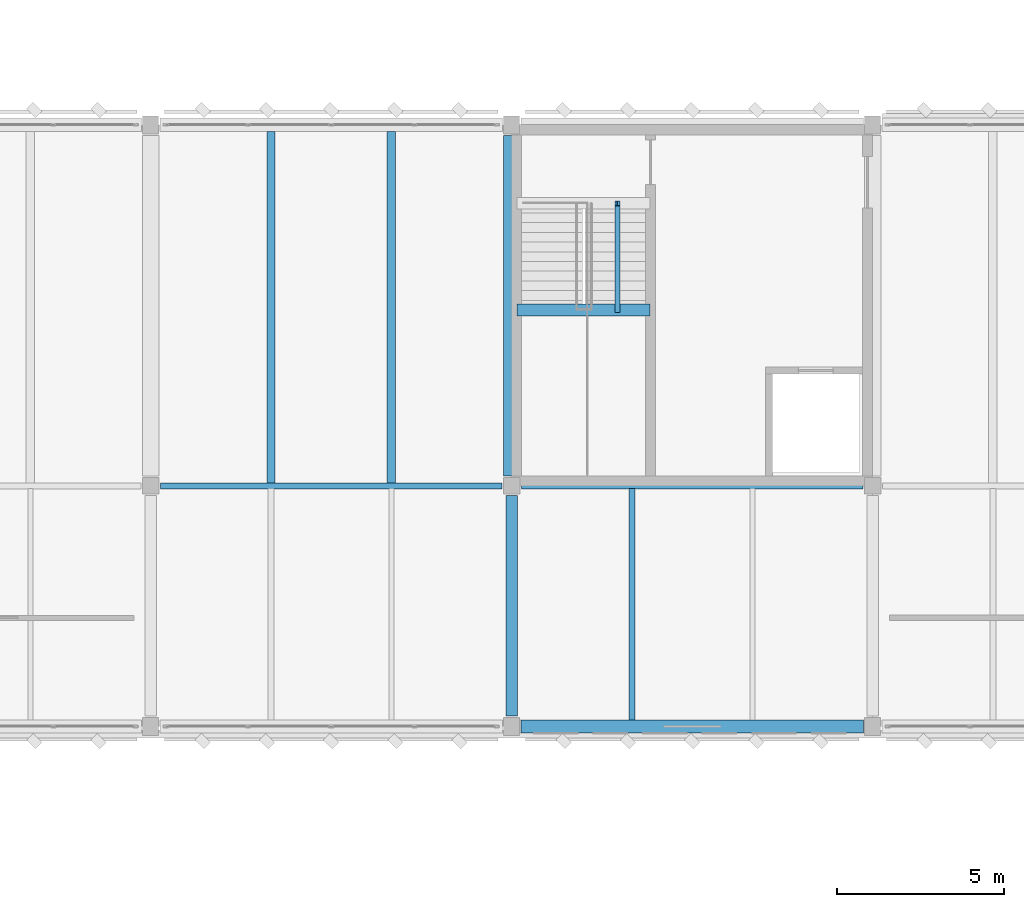
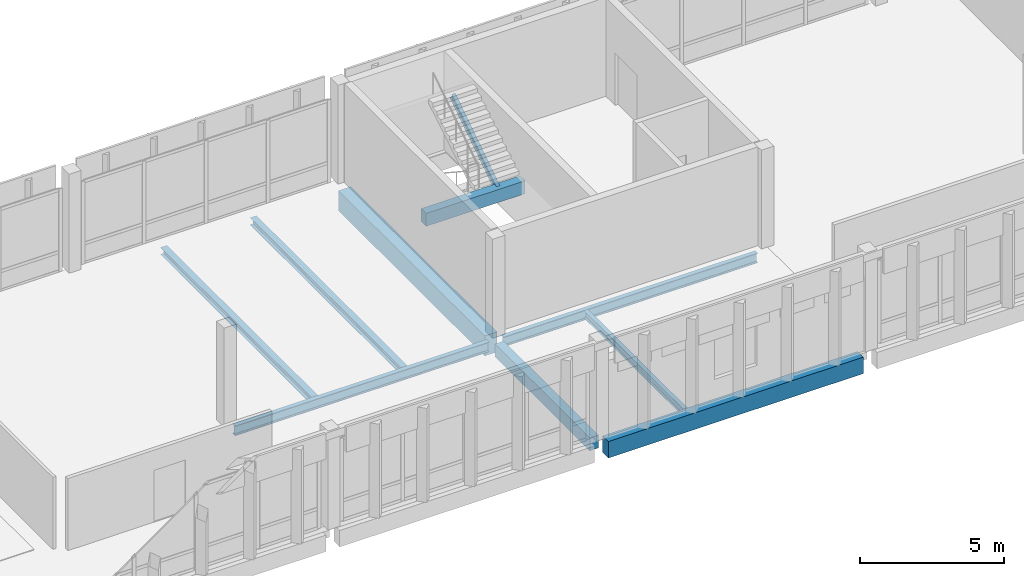
# One storey, part 27 of 72: 10 beams.
"""IFC4 building model written with IfcOpenShell, lengths in metres."""

from ifc_helpers import new_model, si_unit, direction, frame, origin, origin_2d, place, context, subcontext, project, spatial, rectangle, i_section, extrude, material, material_profile, profile_set, type_object, element, save


model = new_model("IFC4")

# Units and contexts
model_context = context("Model", 3, precision=1e-05, world=origin(), true_north=direction((0.0, 1.0)))
body_context = subcontext(model_context, "Body", "Model", "MODEL_VIEW")
ifc_project = project(units=[si_unit("LENGTHUNIT", "METRE"), si_unit("AREAUNIT", "SQUARE_METRE"), si_unit("VOLUMEUNIT", "CUBIC_METRE"), si_unit("PLANEANGLEUNIT", "RADIAN"), si_unit("MASSUNIT", "GRAM", prefix="KILO")], contexts=[model_context])

# Site, building, storey
site_placement = place(None, origin())
site = spatial("IfcSite", under=ifc_project, at=site_placement, CompositionType="ELEMENT")
building_placement = place(site_placement, origin())
building = spatial("IfcBuilding", under=site, at=building_placement, Name="Lusvemor Sports Hall", CompositionType="ELEMENT")
storey_placement = place(building_placement, frame((0.0, 0.0, 15.0)))
storey = spatial("IfcBuildingStorey", under=building, at=storey_placement, Name="L03", CompositionType="ELEMENT", Elevation=15.0)

# Beams
ifc_material_1 = material(Name="Concrete C40/50", Category="concrete")
ifc_material_profile_1 = material_profile(ifc_material_1, rectangle(XDim=0.35009765625, YDim=0.550048828125, at=origin_2d()), Name="RC350x550")
ifc_profile_set_1 = profile_set([ifc_material_profile_1], Name="Concrete C40/50")
beam_type_1 = type_object("IfcBeamType", Name="BEAM_RC_550", PredefinedType="BEAM", material=ifc_profile_set_1)
beam_1_placement = place(storey_placement, frame((54.0, 97.51611328125, -0.514892578125), z_axis=(0.0, 1.0, 0.0), x_axis=(-1.0, 0.0, 0.0)))
element("IfcBeam", 1, at=beam_1_placement, inside=storey, type_object=beam_type_1, Name="Beam L03 6:N-P", PredefinedType="BEAM", context=body_context, shape_type="SweptSolid", body=[
    extrude(rectangle(XDim=0.35009765625, YDim=0.550048828125, at=origin_2d()), origin(), (0.0, 0.0, 1.0), 6.587890625),
])
beam_2_placement = place(storey_placement, frame((54.159912109375, 109.659912109375, 1.64501953125), z_axis=(1.0, 0.0, 0.0), x_axis=(0.0, 1.0, 0.0)))
element("IfcBeam", 2, at=beam_2_placement, inside=storey, type_object=beam_type_1, Name="Stair STR-C2-L03 Mid-Landing Beam", PredefinedType="BEAM", context=body_context, shape_type="SweptSolid", body=[
    extrude(rectangle(XDim=0.35009765625, YDim=0.550048828125, at=origin_2d()), origin(), (0.0, 0.0, 1.0), 3.97998046875),
])
ifc_material_2 = material(Name="Steel S355", Category="steel")
ifc_material_profile_2 = material_profile(ifc_material_2, i_section(OverallWidth=0.180908203125, OverallDepth=0.4169921875, WebThickness=0.010986328125, FlangeThickness=0.018310546875, FilletRadius=0.01611328125, at=origin_2d()), Name="W410x85.0")
ifc_profile_set_2 = profile_set([ifc_material_profile_2], Name="Steel S355")
beam_type_2 = type_object("IfcBeamType", Name="BEAM_ST_410H", PredefinedType="BEAM", material=ifc_profile_set_2)
for number, where, z_axis, x_axis, name in (
    (3, (43.49609375, 104.39990234375, -0.452392578125), (1.0, 0.0, 0.0), (0.0, 1.0, 0.0), "Beam L03 P:5-6"),
    (4, (54.2958984375, 104.39990234375, -0.452392578125), (1.0, 0.0, 0.0), (0.0, 1.0, 0.0), "Beam L03 P:6-7"),
):
    element("IfcBeam", number, at=place(storey_placement, frame(where, z_axis=z_axis, x_axis=x_axis)), inside=storey, type_object=beam_type_2, Name=name, PredefinedType="BEAM", context=body_context, shape_type="SweptSolid", body=[
        extrude(i_section(OverallWidth=0.180908203125, OverallDepth=0.4169921875, WebThickness=0.010986328125, FlangeThickness=0.018310546875, FilletRadius=0.01611328125, at=origin_2d()), origin(), (0.0, 0.0, 1.0), 10.2080078125),
    ])
ifc_material_3 = material(Name="Concrete C40/50", Category="concrete")
ifc_material_profile_3 = material_profile(ifc_material_3, rectangle(XDim=0.5, YDim=0.85009765625, at=origin_2d()), Name="RC500x850")
ifc_profile_set_3 = profile_set([ifc_material_profile_3], Name="Concrete C40/50")
beam_type_3 = type_object("IfcBeamType", Name="GIRD_RC_850", PredefinedType="T_BEAM", material=ifc_profile_set_3)
beam_3_placement = place(storey_placement, frame((54.0, 104.696044921875, -0.6650390625), z_axis=(0.0, 1.0, 0.0), x_axis=(-1.0, 0.0, 0.0)))
element("IfcBeam", 5, at=beam_3_placement, inside=storey, type_object=beam_type_3, Name="Beam L03 6:P-Q", PredefinedType="T_BEAM", context=body_context, shape_type="SweptSolid", body=[
    extrude(rectangle(XDim=0.5, YDim=0.85009765625, at=origin_2d()), origin(), (0.0, 0.0, 1.0), 10.18798828125),
])
ifc_material_4 = material(Name="Steel S355", Category="steel")
ifc_material_profile_4 = material_profile(ifc_material_4, i_section(OverallWidth=0.14794921875, OverallDepth=0.26611328125, WebThickness=0.007568359375, FlangeThickness=0.012939453125, FilletRadius=0.012939453125, at=origin_2d()), Name="W250x44.8")
ifc_profile_set_4 = profile_set([ifc_material_profile_4], Name="Steel S355")
beam_type_4 = type_object("IfcBeamType", Name="JOIST_ST_250M", PredefinedType="JOIST", material=ifc_profile_set_4)
beam_4_placement = place(storey_placement, frame((57.159912109375, 109.659912109375, 1.7548828125), z_axis=(0.0, 0.835261802243, 0.549852454495), x_axis=(-1.0, 0.0, 0.0)))
element("IfcBeam", 6, at=beam_4_placement, inside=storey, type_object=beam_type_4, Name="Stair STR-C2-L03 Flight 2 Stringer Beam", PredefinedType="JOIST", context=body_context, shape_type="SweptSolid", body=[
    extrude(i_section(OverallWidth=0.14794921875, OverallDepth=0.26611328125, WebThickness=0.007568359375, FlangeThickness=0.012939453125, FilletRadius=0.012939453125, at=origin_2d()), origin(), (0.0, 0.0, 1.0), 3.8193359375),
])
ifc_material_5 = material(Name="Steel S355", Category="steel")
ifc_material_profile_5 = material_profile(ifc_material_5, i_section(OverallWidth=0.25390625, OverallDepth=0.305908203125, WebThickness=0.0087890625, FlangeThickness=0.0146484375, FilletRadius=0.014892578125, at=origin_2d()), Name="W310x79.0")
ifc_profile_set_5 = profile_set([ifc_material_profile_5], Name="Steel S355")
beam_type_5 = type_object("IfcBeamType", Name="JOIST_ST_310H", PredefinedType="JOIST", material=ifc_profile_set_5)
for number, where, z_axis, x_axis, name in (
    (7, (46.800048828125, 104.486572265625, -0.39697265625), (0.0, 1.0, 0.0), (-1.0, 0.0, 0.0), "Secondary Joist L03 5-6/P-Q #1"),
    (8, (50.39990234375, 104.486572265625, -0.39697265625), (0.0, 1.0, 0.0), (-1.0, 0.0, 0.0), "Secondary Joist L03 5-6/P-Q #2"),
):
    element("IfcBeam", number, at=place(storey_placement, frame(where, z_axis=z_axis, x_axis=x_axis)), inside=storey, type_object=beam_type_5, Name=name, PredefinedType="JOIST", context=body_context, shape_type="SweptSolid", body=[
        extrude(i_section(OverallWidth=0.25390625, OverallDepth=0.305908203125, WebThickness=0.0087890625, FlangeThickness=0.0146484375, FilletRadius=0.014892578125, at=origin_2d()), origin(), (0.0, 0.0, 1.0), 10.517333984375),
    ])
ifc_material_6 = material(Name="Steel S355", Category="steel")
ifc_material_profile_6 = material_profile(ifc_material_6, i_section(OverallWidth=0.1669921875, OverallDepth=0.31689453125, WebThickness=0.007568359375, FlangeThickness=0.01318359375, FilletRadius=0.014892578125, at=origin_2d()), Name="W310x52.0")
ifc_profile_set_6 = profile_set([ifc_material_profile_6], Name="Steel S355")
beam_type_6 = type_object("IfcBeamType", Name="JOIST_ST_310M", PredefinedType="JOIST", material=ifc_profile_set_6)
beam_5_placement = place(storey_placement, frame((57.60009765625, 97.39599609375, -0.402587890625), z_axis=(0.0, 1.0, 0.0), x_axis=(-1.0, 0.0, 0.0)))
element("IfcBeam", 9, at=beam_5_placement, inside=storey, type_object=beam_type_6, Name="Secondary Joist L03 6-7/N-P #1", PredefinedType="JOIST", context=body_context, shape_type="SweptSolid", body=[
    extrude(i_section(OverallWidth=0.1669921875, OverallDepth=0.31689453125, WebThickness=0.007568359375, FlangeThickness=0.01318359375, FilletRadius=0.014892578125, at=origin_2d()), origin(), (0.0, 0.0, 1.0), 6.91748046875),
])
ifc_material_7 = material(Name="Concrete C40/50", Category="concrete")
ifc_material_profile_7 = material_profile(ifc_material_7, rectangle(XDim=0.39990234375, YDim=0.699951171875, at=origin_2d()), Name="RC400x700")
ifc_profile_set_7 = profile_set([ifc_material_profile_7], Name="Concrete C40/50")
beam_type_7 = type_object("IfcBeamType", Name="SPAND_EXT_700", PredefinedType="SPANDREL", material=ifc_profile_set_7)
beam_6_placement = place(storey_placement, frame((54.27587890625, 97.199951171875, -0.590087890625), z_axis=(1.0, 0.0, 0.0), x_axis=(0.0, 1.0, 0.0)))
element("IfcBeam", 10, at=beam_6_placement, inside=storey, type_object=beam_type_7, Name="Beam L03 N:6-7", PredefinedType="SPANDREL", context=body_context, shape_type="SweptSolid", body=[
    extrude(rectangle(XDim=0.39990234375, YDim=0.699951171875, at=origin_2d()), origin(), (0.0, 0.0, 1.0), 10.248046875),
])

save(model, "model.ifc")
